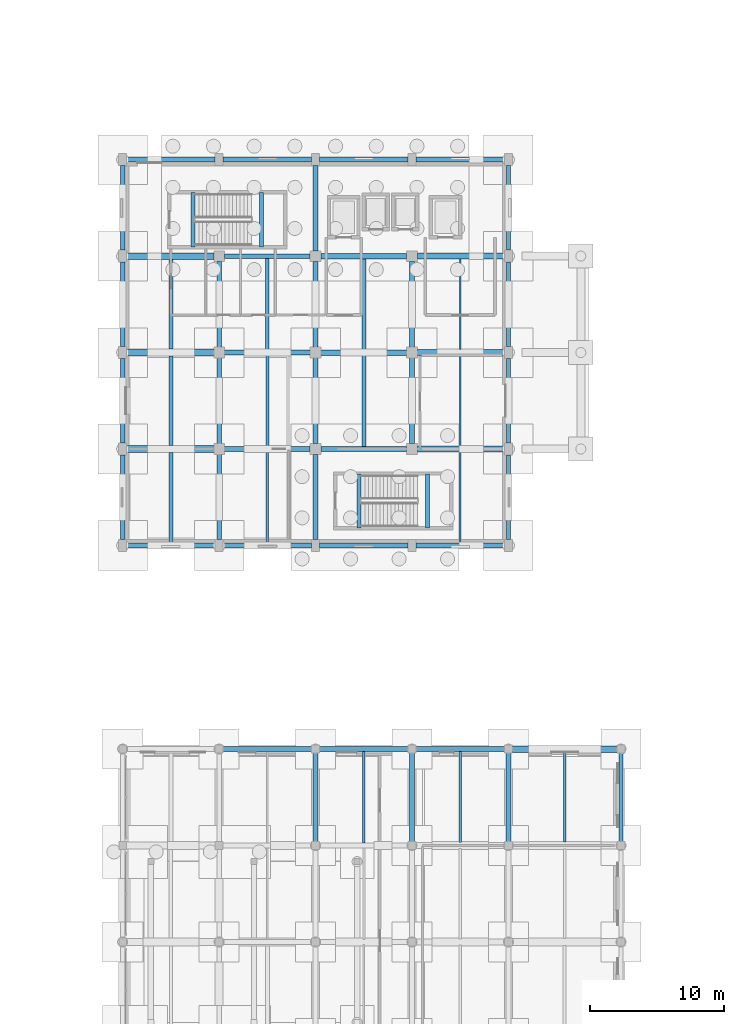
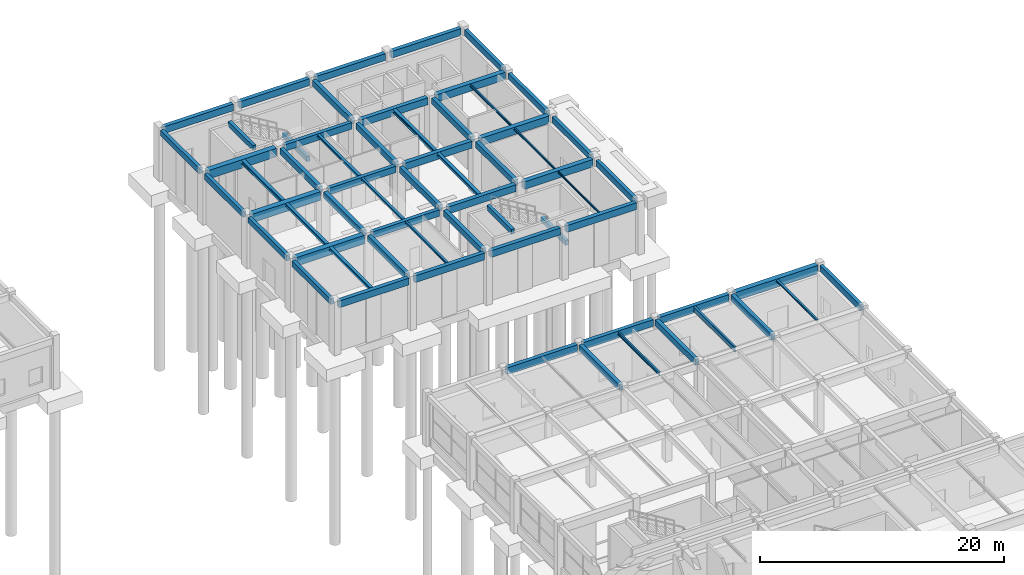
# One storey, part 55 of 91: 63 beams.
"""IFC4 building model written with IfcOpenShell, lengths in metres."""

from ifc_helpers import new_model, si_unit, direction, frame, origin, origin_2d, place, context, subcontext, project, spatial, rectangle, i_section, extrude, material, material_profile, profile_set, type_object, element, save


model = new_model("IFC4")

# Units and contexts
model_context = context("Model", 3, precision=1e-05, world=origin(), true_north=direction((0.0, 1.0)))
body_context = subcontext(model_context, "Body", "Model", "MODEL_VIEW")
ifc_project = project(units=[si_unit("LENGTHUNIT", "METRE"), si_unit("AREAUNIT", "SQUARE_METRE"), si_unit("VOLUMEUNIT", "CUBIC_METRE"), si_unit("PLANEANGLEUNIT", "RADIAN"), si_unit("MASSUNIT", "GRAM", prefix="KILO")], contexts=[model_context])

# Site, building, storey
site_placement = place(None, origin())
site = spatial("IfcSite", under=ifc_project, at=site_placement, CompositionType="ELEMENT")
building_placement = place(site_placement, origin())
building = spatial("IfcBuilding", under=site, at=building_placement, Name="Bramveld Media Centre", CompositionType="ELEMENT")
storey_placement = place(building_placement, origin())
storey = spatial("IfcBuildingStorey", under=building, at=storey_placement, Name="L00", CompositionType="ELEMENT", Elevation=0.0)

# Beams
ifc_material_1 = material(Name="Concrete C40/50", Category="concrete")
ifc_material_profile_1 = material_profile(ifc_material_1, rectangle(XDim=0.300048828125, YDim=0.5, at=origin_2d()), Name="RC 300x500")
ifc_profile_set_1 = profile_set([ifc_material_profile_1], Name="Concrete C40/50")
beam_type_1 = type_object("IfcBeamType", Name="BM-INT-RC-300x500", PredefinedType="BEAM", material=ifc_profile_set_1)
for number, where, z_axis, x_axis, name in (
    (1, (136.449951171875, 105.5, 5.14990234375), (0.0, 1.0, 0.0), (-1.0, 0.0, 0.0), "ST-01 L01 stairwell landing trimmer beam"),
    (2, (141.550048828125, 105.5, 2.25), (0.0, 1.0, 0.0), (-1.0, 0.0, 0.0), "ST-01 L00 stairwell half-landing support beam"),
    (3, (148.85009765625, 84.5, 5.14990234375), (0.0, 1.0, 0.0), (-1.0, 0.0, 0.0), "ST-02 L01 stairwell landing trimmer beam"),
    (4, (153.949951171875, 84.5, 2.25), (0.0, 1.0, 0.0), (-1.0, 0.0, 0.0), "ST-02 L00 stairwell half-landing support beam"),
):
    element("IfcBeam", number, at=place(storey_placement, frame(where, z_axis=z_axis, x_axis=x_axis)), inside=storey, type_object=beam_type_1, Name=name, PredefinedType="BEAM", context=body_context, shape_type="SweptSolid", body=[
        extrude(rectangle(XDim=0.300048828125, YDim=0.5, at=origin_2d()), origin(), (0.0, 0.0, 1.0), 4.050048828125),
    ])
ifc_material_2 = material(Name="Concrete C40/50", Category="concrete")
ifc_material_profile_2 = material_profile(ifc_material_2, rectangle(XDim=0.35009765625, YDim=0.60009765625, at=origin_2d()), Name="RC 350x600")
ifc_profile_set_2 = profile_set([ifc_material_profile_2], Name="Concrete C40/50")
beam_type_2 = type_object("IfcBeamType", Name="BM-INT-RC-350x600", PredefinedType="BEAM", material=ifc_profile_set_2)
for number, where, z_axis, x_axis, name in (
    (5, (145.60009765625, 61.10009765625, 4.860107421875), (0.0, 1.0, 0.0), (-1.0, 0.0, 0.0), "V4 L00 girder Y-486"),
    (6, (152.800048828125, 61.10009765625, 4.860107421875), (0.0, 1.0, 0.0), (-1.0, 0.0, 0.0), "V4 L00 girder Y-490"),
    (7, (160.0, 61.10009765625, 4.860107421875), (0.0, 1.0, 0.0), (-1.0, 0.0, 0.0), "V4 L00 girder Y-494"),
):
    element("IfcBeam", number, at=place(storey_placement, frame(where, z_axis=z_axis, x_axis=x_axis)), inside=storey, type_object=beam_type_2, Name=name, PredefinedType="BEAM", context=body_context, shape_type="SweptSolid", body=[
        extrude(rectangle(XDim=0.35009765625, YDim=0.60009765625, at=origin_2d()), origin(), (0.0, 0.0, 1.0), 6.60986328125),
    ])
beam_1_placement = place(storey_placement, frame((138.39990234375, 83.64990234375, 4.840087890625), z_axis=(0.0, 1.0, 0.0), x_axis=(-1.0, 0.0, 0.0)))
element("IfcBeam", 8, at=beam_1_placement, inside=storey, type_object=beam_type_2, Name="V7 L00 girder Y-1266", PredefinedType="BEAM", context=body_context, shape_type="SweptSolid", body=[
    extrude(rectangle(XDim=0.35009765625, YDim=0.60009765625, at=origin_2d()), origin(), (0.0, 0.0, 1.0), 6.35009765625),
])
for number, where, z_axis, x_axis, name in (
    (9, (138.39990234375, 90.800048828125, 4.840087890625), (0.0, 1.0, 0.0), (-1.0, 0.0, 0.0), "V7 L00 girder Y-1267"),
    (10, (138.39990234375, 98.0, 4.840087890625), (0.0, 1.0, 0.0), (-1.0, 0.0, 0.0), "V7 L00 girder Y-1268"),
):
    element("IfcBeam", number, at=place(storey_placement, frame(where, z_axis=z_axis, x_axis=x_axis)), inside=storey, type_object=beam_type_2, Name=name, PredefinedType="BEAM", context=body_context, shape_type="SweptSolid", body=[
        extrude(rectangle(XDim=0.35009765625, YDim=0.60009765625, at=origin_2d()), origin(), (0.0, 0.0, 1.0), 6.39990234375),
    ])
beam_2_placement = place(storey_placement, frame((145.60009765625, 83.64990234375, 4.840087890625), z_axis=(0.0, 1.0, 0.0), x_axis=(-1.0, 0.0, 0.0)))
element("IfcBeam", 11, at=beam_2_placement, inside=storey, type_object=beam_type_2, Name="V7 L00 girder Y-1269", PredefinedType="BEAM", context=body_context, shape_type="SweptSolid", body=[
    extrude(rectangle(XDim=0.35009765625, YDim=0.60009765625, at=origin_2d()), origin(), (0.0, 0.0, 1.0), 6.35009765625),
])
for number, where, z_axis, x_axis, name in (
    (12, (145.60009765625, 90.800048828125, 4.840087890625), (0.0, 1.0, 0.0), (-1.0, 0.0, 0.0), "V7 L00 girder Y-1270"),
    (13, (145.60009765625, 98.0, 4.840087890625), (0.0, 1.0, 0.0), (-1.0, 0.0, 0.0), "V7 L00 girder Y-1271"),
):
    element("IfcBeam", number, at=place(storey_placement, frame(where, z_axis=z_axis, x_axis=x_axis)), inside=storey, type_object=beam_type_2, Name=name, PredefinedType="BEAM", context=body_context, shape_type="SweptSolid", body=[
        extrude(rectangle(XDim=0.35009765625, YDim=0.60009765625, at=origin_2d()), origin(), (0.0, 0.0, 1.0), 6.39990234375),
    ])
beam_3_placement = place(storey_placement, frame((145.60009765625, 105.199951171875, 4.840087890625), z_axis=(0.0, 1.0, 0.0), x_axis=(-1.0, 0.0, 0.0)))
element("IfcBeam", 14, at=beam_3_placement, inside=storey, type_object=beam_type_2, Name="V7 L00 girder Y-1272", PredefinedType="BEAM", context=body_context, shape_type="SweptSolid", body=[
    extrude(rectangle(XDim=0.35009765625, YDim=0.60009765625, at=origin_2d()), origin(), (0.0, 0.0, 1.0), 6.35009765625),
])
for number, where, z_axis, x_axis, name in (
    (15, (152.800048828125, 90.800048828125, 4.840087890625), (0.0, 1.0, 0.0), (-1.0, 0.0, 0.0), "V7 L00 girder Y-1273"),
    (16, (152.800048828125, 98.0, 4.840087890625), (0.0, 1.0, 0.0), (-1.0, 0.0, 0.0), "V7 L00 girder Y-1274"),
):
    element("IfcBeam", number, at=place(storey_placement, frame(where, z_axis=z_axis, x_axis=x_axis)), inside=storey, type_object=beam_type_2, Name=name, PredefinedType="BEAM", context=body_context, shape_type="SweptSolid", body=[
        extrude(rectangle(XDim=0.35009765625, YDim=0.60009765625, at=origin_2d()), origin(), (0.0, 0.0, 1.0), 6.39990234375),
    ])
ifc_material_3 = material(Name="Concrete C40/50", Category="concrete")
ifc_material_profile_3 = material_profile(ifc_material_3, rectangle(XDim=0.35009765625, YDim=0.64990234375, at=origin_2d()), Name="RC 350x650")
ifc_profile_set_3 = profile_set([ifc_material_profile_3], Name="Concrete C40/50")
beam_type_3 = type_object("IfcBeamType", Name="BM-INT-RC-350x650", PredefinedType="BEAM", material=ifc_profile_set_3)
for number, where, z_axis, x_axis, name in (
    (17, (138.800048828125, 90.39990234375, 4.81494140625), (1.0, 0.0, 0.0), (0.0, 1.0, 0.0), "V7 L00 girder X-1247"),
    (18, (138.800048828125, 97.60009765625, 4.81494140625), (1.0, 0.0, 0.0), (0.0, 1.0, 0.0), "V7 L00 girder X-1251"),
    (19, (138.800048828125, 104.800048828125, 4.81494140625), (1.0, 0.0, 0.0), (0.0, 1.0, 0.0), "V7 L00 girder X-1255"),
):
    element("IfcBeam", number, at=place(storey_placement, frame(where, z_axis=z_axis, x_axis=x_axis)), inside=storey, type_object=beam_type_3, Name=name, PredefinedType="BEAM", context=body_context, shape_type="SweptSolid", body=[
        extrude(rectangle(XDim=0.35009765625, YDim=0.64990234375, at=origin_2d()), origin(), (0.0, 0.0, 1.0), 6.39990234375),
    ])
ifc_material_4 = material(Name="Concrete C40/50", Category="concrete")
ifc_material_profile_4 = material_profile(ifc_material_4, rectangle(XDim=0.39990234375, YDim=0.699951171875, at=origin_2d()), Name="RC 400x700")
ifc_profile_set_4 = profile_set([ifc_material_profile_4], Name="Concrete C40/50")
beam_type_4 = type_object("IfcBeamType", Name="BM-INT-RC-400x700", PredefinedType="BEAM", material=ifc_profile_set_4)
for number, where, z_axis, x_axis, name in (
    (20, (146.0, 90.39990234375, 4.7900390625), (1.0, 0.0, 0.0), (0.0, 1.0, 0.0), "V7 L00 girder X-1248"),
    (21, (146.0, 97.60009765625, 4.7900390625), (1.0, 0.0, 0.0), (0.0, 1.0, 0.0), "V7 L00 girder X-1252"),
    (22, (146.0, 104.800048828125, 4.7900390625), (1.0, 0.0, 0.0), (0.0, 1.0, 0.0), "V7 L00 girder X-1256"),
):
    element("IfcBeam", number, at=place(storey_placement, frame(where, z_axis=z_axis, x_axis=x_axis)), inside=storey, type_object=beam_type_4, Name=name, PredefinedType="BEAM", context=body_context, shape_type="SweptSolid", body=[
        extrude(rectangle(XDim=0.39990234375, YDim=0.699951171875, at=origin_2d()), origin(), (0.0, 0.0, 1.0), 6.39990234375),
    ])
ifc_material_5 = material(Name="Concrete C40/50", Category="concrete")
ifc_material_profile_5 = material_profile(ifc_material_5, rectangle(XDim=0.449951171875, YDim=0.75, at=origin_2d()), Name="RC 450x750")
ifc_profile_set_5 = profile_set([ifc_material_profile_5], Name="Concrete C40/50")
beam_type_5 = type_object("IfcBeamType", Name="BM-INT-RC-450x750", PredefinedType="BEAM", material=ifc_profile_set_5)
for number, where, z_axis, x_axis, name in (
    (23, (153.199951171875, 90.39990234375, 4.764892578125), (1.0, 0.0, 0.0), (0.0, 1.0, 0.0), "V7 L00 girder X-1249"),
    (24, (153.199951171875, 97.60009765625, 4.764892578125), (1.0, 0.0, 0.0), (0.0, 1.0, 0.0), "V7 L00 girder X-1253"),
    (25, (153.199951171875, 104.800048828125, 4.764892578125), (1.0, 0.0, 0.0), (0.0, 1.0, 0.0), "V7 L00 girder X-1257"),
):
    element("IfcBeam", number, at=place(storey_placement, frame(where, z_axis=z_axis, x_axis=x_axis)), inside=storey, type_object=beam_type_5, Name=name, PredefinedType="BEAM", context=body_context, shape_type="SweptSolid", body=[
        extrude(rectangle(XDim=0.449951171875, YDim=0.75, at=origin_2d()), origin(), (0.0, 0.0, 1.0), 6.5),
    ])
ifc_material_6 = material(Name="Concrete C40/50", Category="concrete")
ifc_material_profile_6 = material_profile(ifc_material_6, rectangle(XDim=0.5, YDim=0.85009765625, at=origin_2d()), Name="RC 500x850")
ifc_profile_set_6 = profile_set([ifc_material_profile_6], Name="Concrete C40/50")
beam_type_6 = type_object("IfcBeamType", Name="BM-INT-RC-500x850", PredefinedType="BEAM", material=ifc_profile_set_6)
for number, where, z_axis, x_axis, name in (
    (26, (131.5, 90.39990234375, 4.715087890625), (1.0, 0.0, 0.0), (0.0, 1.0, 0.0), "V7 L00 girder X-1246"),
    (27, (131.5, 97.60009765625, 4.715087890625), (1.0, 0.0, 0.0), (0.0, 1.0, 0.0), "V7 L00 girder X-1250"),
    (28, (131.5, 104.800048828125, 4.715087890625), (1.0, 0.0, 0.0), (0.0, 1.0, 0.0), "V7 L00 girder X-1254"),
):
    element("IfcBeam", number, at=place(storey_placement, frame(where, z_axis=z_axis, x_axis=x_axis)), inside=storey, type_object=beam_type_6, Name=name, PredefinedType="BEAM", context=body_context, shape_type="SweptSolid", body=[
        extrude(rectangle(XDim=0.5, YDim=0.85009765625, at=origin_2d()), origin(), (0.0, 0.0, 1.0), 6.5),
    ])
ifc_material_7 = material(Name="Steel S355J2", Category="steel")
ifc_material_profile_7 = material_profile(ifc_material_7, i_section(OverallWidth=0.199951171875, OverallDepth=0.18994140625, WebThickness=0.006591796875, FlangeThickness=0.010009765625, FilletRadius=0.01806640625, at=origin_2d()), Name="HEA 200")
ifc_profile_set_7 = profile_set([ifc_material_profile_7], Name="Steel S355J2")
beam_type_7 = type_object("IfcBeamType", Name="SBM-INT-HEA-200", PredefinedType="BEAM", material=ifc_profile_set_7)
beam_4_placement = place(storey_placement, frame((164.199951171875, 61.074951171875, 5.06494140625), z_axis=(0.0, 1.0, 0.0), x_axis=(-1.0, 0.0, 0.0)))
element("IfcBeam", 29, at=beam_4_placement, inside=storey, type_object=beam_type_7, Name="V4 L00 secondary floor joist 516", PredefinedType="BEAM", context=body_context, shape_type="SweptSolid", body=[
    extrude(i_section(OverallWidth=0.199951171875, OverallDepth=0.18994140625, WebThickness=0.006591796875, FlangeThickness=0.010009765625, FilletRadius=0.01806640625, at=origin_2d()), origin(), (0.0, 0.0, 1.0), 6.68505859375),
])
ifc_material_8 = material(Name="Steel S355J2", Category="steel")
ifc_material_profile_8 = material_profile(ifc_material_8, i_section(OverallWidth=0.300048828125, OverallDepth=0.2900390625, WebThickness=0.008544921875, FlangeThickness=0.013916015625, FilletRadius=0.027099609375, at=origin_2d()), Name="HEA 300")
ifc_profile_set_8 = profile_set([ifc_material_profile_8], Name="Steel S355J2")
beam_type_8 = type_object("IfcBeamType", Name="SBM-INT-HEA-300", PredefinedType="BEAM", material=ifc_profile_set_8)
beam_5_placement = place(storey_placement, frame((134.800048828125, 83.389892578125, 4.9951171875), z_axis=(0.0, 1.0, 0.0), x_axis=(-1.0, 0.0, 0.0)))
element("IfcBeam", 30, at=beam_5_placement, inside=storey, type_object=beam_type_8, Name="V7 L00 secondary floor joist 1279", PredefinedType="BEAM", context=body_context, shape_type="SweptSolid", body=[
    extrude(i_section(OverallWidth=0.300048828125, OverallDepth=0.2900390625, WebThickness=0.008544921875, FlangeThickness=0.013916015625, FilletRadius=0.027099609375, at=origin_2d()), origin(), (0.0, 0.0, 1.0), 6.760009765625),
])
ifc_material_9 = material(Name="Steel S355J2", Category="steel")
ifc_material_profile_9 = material_profile(ifc_material_9, i_section(OverallWidth=0.300048828125, OverallDepth=0.31005859375, WebThickness=0.009033203125, FlangeThickness=0.015380859375, FilletRadius=0.027099609375, at=origin_2d()), Name="HEA 320")
ifc_profile_set_9 = profile_set([ifc_material_profile_9], Name="Steel S355J2")
beam_type_9 = type_object("IfcBeamType", Name="SBM-INT-HEA-320", PredefinedType="BEAM", material=ifc_profile_set_9)
beam_6_placement = place(storey_placement, frame((134.800048828125, 90.64990234375, 4.985107421875), z_axis=(0.0, 1.0, 0.0), x_axis=(-1.0, 0.0, 0.0)))
element("IfcBeam", 31, at=beam_6_placement, inside=storey, type_object=beam_type_9, Name="V7 L00 secondary floor joist 1280", PredefinedType="BEAM", context=body_context, shape_type="SweptSolid", body=[
    extrude(i_section(OverallWidth=0.300048828125, OverallDepth=0.31005859375, WebThickness=0.009033203125, FlangeThickness=0.015380859375, FilletRadius=0.027099609375, at=origin_2d()), origin(), (0.0, 0.0, 1.0), 6.7001953125),
])
ifc_material_10 = material(Name="Steel S355J2", Category="steel")
ifc_material_profile_10 = material_profile(ifc_material_10, i_section(OverallWidth=0.300048828125, OverallDepth=0.389892578125, WebThickness=0.010986328125, FlangeThickness=0.01904296875, FilletRadius=0.027099609375, at=origin_2d()), Name="HEA 400")
ifc_profile_set_10 = profile_set([ifc_material_profile_10], Name="Steel S355J2")
beam_type_10 = type_object("IfcBeamType", Name="SBM-INT-HEA-400", PredefinedType="BEAM", material=ifc_profile_set_10)
beam_7_placement = place(storey_placement, frame((134.800048828125, 97.85009765625, 4.945068359375), z_axis=(0.0, 1.0, 0.0), x_axis=(-1.0, 0.0, 0.0)))
element("IfcBeam", 32, at=beam_7_placement, inside=storey, type_object=beam_type_10, Name="V7 L00 secondary floor joist 1281", PredefinedType="BEAM", context=body_context, shape_type="SweptSolid", body=[
    extrude(i_section(OverallWidth=0.300048828125, OverallDepth=0.389892578125, WebThickness=0.010986328125, FlangeThickness=0.01904296875, FilletRadius=0.027099609375, at=origin_2d()), origin(), (0.0, 0.0, 1.0), 6.699951171875),
])
ifc_material_11 = material(Name="Steel S355J2", Category="steel")
ifc_material_profile_11 = material_profile(ifc_material_11, i_section(OverallWidth=0.199951171875, OverallDepth=0.199951171875, WebThickness=0.009033203125, FlangeThickness=0.014892578125, FilletRadius=0.01806640625, at=origin_2d()), Name="HEB 200")
ifc_profile_set_11 = profile_set([ifc_material_profile_11], Name="Steel S355J2")
beam_type_11 = type_object("IfcBeamType", Name="SBM-INT-HEB-200", PredefinedType="BEAM", material=ifc_profile_set_11)
beam_8_placement = place(storey_placement, frame((142.0, 83.389892578125, 5.0400390625), z_axis=(0.0, 1.0, 0.0), x_axis=(-1.0, 0.0, 0.0)))
element("IfcBeam", 33, at=beam_8_placement, inside=storey, type_object=beam_type_11, Name="V7 L00 secondary floor joist 1282", PredefinedType="BEAM", context=body_context, shape_type="SweptSolid", body=[
    extrude(i_section(OverallWidth=0.199951171875, OverallDepth=0.199951171875, WebThickness=0.009033203125, FlangeThickness=0.014892578125, FilletRadius=0.01806640625, at=origin_2d()), origin(), (0.0, 0.0, 1.0), 6.835205078125),
])
ifc_material_12 = material(Name="Steel S355J2", Category="steel")
ifc_material_profile_12 = material_profile(ifc_material_12, i_section(OverallWidth=0.219970703125, OverallDepth=0.219970703125, WebThickness=0.009521484375, FlangeThickness=0.01611328125, FilletRadius=0.01806640625, at=origin_2d()), Name="HEB 220")
ifc_profile_set_12 = profile_set([ifc_material_profile_12], Name="Steel S355J2")
beam_type_12 = type_object("IfcBeamType", Name="SBM-INT-HEB-220", PredefinedType="BEAM", material=ifc_profile_set_12)
beam_9_placement = place(storey_placement, frame((142.0, 90.574951171875, 5.030029296875), z_axis=(0.0, 1.0, 0.0), x_axis=(-1.0, 0.0, 0.0)))
element("IfcBeam", 34, at=beam_9_placement, inside=storey, type_object=beam_type_12, Name="V7 L00 secondary floor joist 1283", PredefinedType="BEAM", context=body_context, shape_type="SweptSolid", body=[
    extrude(i_section(OverallWidth=0.219970703125, OverallDepth=0.219970703125, WebThickness=0.009521484375, FlangeThickness=0.01611328125, FilletRadius=0.01806640625, at=origin_2d()), origin(), (0.0, 0.0, 1.0), 6.85009765625),
])
ifc_material_13 = material(Name="Steel S355J2", Category="steel")
ifc_material_profile_13 = material_profile(ifc_material_13, i_section(OverallWidth=0.260009765625, OverallDepth=0.260009765625, WebThickness=0.010009765625, FlangeThickness=0.017578125, FilletRadius=0.02392578125, at=origin_2d()), Name="HEB 260")
ifc_profile_set_13 = profile_set([ifc_material_profile_13], Name="Steel S355J2")
beam_type_13 = type_object("IfcBeamType", Name="SBM-INT-HEB-260", PredefinedType="BEAM", material=ifc_profile_set_13)
beam_10_placement = place(storey_placement, frame((142.0, 97.77490234375, 5.010009765625), z_axis=(0.0, 1.0, 0.0), x_axis=(-1.0, 0.0, 0.0)))
element("IfcBeam", 35, at=beam_10_placement, inside=storey, type_object=beam_type_13, Name="V7 L00 secondary floor joist 1284", PredefinedType="BEAM", context=body_context, shape_type="SweptSolid", body=[
    extrude(i_section(OverallWidth=0.260009765625, OverallDepth=0.260009765625, WebThickness=0.010009765625, FlangeThickness=0.017578125, FilletRadius=0.02392578125, at=origin_2d()), origin(), (0.0, 0.0, 1.0), 6.85009765625),
])
ifc_material_14 = material(Name="Steel S355J2", Category="steel")
ifc_material_profile_14 = material_profile(ifc_material_14, i_section(OverallWidth=0.300048828125, OverallDepth=0.320068359375, WebThickness=0.011474609375, FlangeThickness=0.0205078125, FilletRadius=0.027099609375, at=origin_2d()), Name="HEB 320")
ifc_profile_set_14 = profile_set([ifc_material_profile_14], Name="Steel S355J2")
beam_type_14 = type_object("IfcBeamType", Name="SBM-INT-HEB-320", PredefinedType="BEAM", material=ifc_profile_set_14)
beam_11_placement = place(storey_placement, frame((149.199951171875, 90.60009765625, 4.97998046875), z_axis=(0.0, 1.0, 0.0), x_axis=(-1.0, 0.0, 0.0)))
element("IfcBeam", 36, at=beam_11_placement, inside=storey, type_object=beam_type_14, Name="V7 L00 secondary floor joist 1285", PredefinedType="BEAM", context=body_context, shape_type="SweptSolid", body=[
    extrude(i_section(OverallWidth=0.300048828125, OverallDepth=0.320068359375, WebThickness=0.011474609375, FlangeThickness=0.0205078125, FilletRadius=0.027099609375, at=origin_2d()), origin(), (0.0, 0.0, 1.0), 6.7998046875),
])
ifc_material_15 = material(Name="Steel S355J2", Category="steel")
ifc_material_profile_15 = material_profile(ifc_material_15, i_section(OverallWidth=0.300048828125, OverallDepth=0.360107421875, WebThickness=0.012451171875, FlangeThickness=0.0224609375, FilletRadius=0.027099609375, at=origin_2d()), Name="HEB 360")
ifc_profile_set_15 = profile_set([ifc_material_profile_15], Name="Steel S355J2")
beam_type_15 = type_object("IfcBeamType", Name="SBM-INT-HEB-360", PredefinedType="BEAM", material=ifc_profile_set_15)
beam_12_placement = place(storey_placement, frame((149.199951171875, 97.800048828125, 4.9599609375), z_axis=(0.0, 1.0, 0.0), x_axis=(-1.0, 0.0, 0.0)))
element("IfcBeam", 37, at=beam_12_placement, inside=storey, type_object=beam_type_15, Name="V7 L00 secondary floor joist 1286", PredefinedType="BEAM", context=body_context, shape_type="SweptSolid", body=[
    extrude(i_section(OverallWidth=0.300048828125, OverallDepth=0.360107421875, WebThickness=0.012451171875, FlangeThickness=0.0224609375, FilletRadius=0.027099609375, at=origin_2d()), origin(), (0.0, 0.0, 1.0), 6.800048828125),
])
ifc_material_16 = material(Name="Steel S355J2", Category="steel")
ifc_material_profile_16 = material_profile(ifc_material_16, i_section(OverallWidth=0.091064453125, OverallDepth=0.179931640625, WebThickness=0.00537109375, FlangeThickness=0.008056640625, FilletRadius=0.009033203125, at=origin_2d()), Name="IPE 180")
ifc_profile_set_16 = profile_set([ifc_material_profile_16], Name="Steel S355J2")
beam_type_16 = type_object("IfcBeamType", Name="SBM-INT-IPE-180", PredefinedType="JOIST", material=ifc_profile_set_16)
beam_13_placement = place(storey_placement, frame((156.39990234375, 83.389892578125, 5.050048828125), z_axis=(0.0, 1.0, 0.0), x_axis=(-1.0, 0.0, 0.0)))
element("IfcBeam", 38, at=beam_13_placement, inside=storey, type_object=beam_type_16, Name="V7 L00 secondary floor joist 1287", PredefinedType="JOIST", context=body_context, shape_type="SweptSolid", body=[
    extrude(i_section(OverallWidth=0.091064453125, OverallDepth=0.179931640625, WebThickness=0.00537109375, FlangeThickness=0.008056640625, FilletRadius=0.009033203125, at=origin_2d()), origin(), (0.0, 0.0, 1.0), 6.78515625),
])
ifc_material_17 = material(Name="Steel S355J2", Category="steel")
ifc_material_profile_17 = material_profile(ifc_material_17, i_section(OverallWidth=0.110107421875, OverallDepth=0.219970703125, WebThickness=0.005859375, FlangeThickness=0.00927734375, FilletRadius=0.011962890625, at=origin_2d()), Name="IPE 220")
ifc_profile_set_17 = profile_set([ifc_material_profile_17], Name="Steel S355J2")
beam_type_17 = type_object("IfcBeamType", Name="SBM-INT-IPE-220", PredefinedType="JOIST", material=ifc_profile_set_17)
beam_14_placement = place(storey_placement, frame((156.39990234375, 90.625, 5.030029296875), z_axis=(0.0, 1.0, 0.0), x_axis=(-1.0, 0.0, 0.0)))
element("IfcBeam", 39, at=beam_14_placement, inside=storey, type_object=beam_type_17, Name="V7 L00 secondary floor joist 1288", PredefinedType="JOIST", context=body_context, shape_type="SweptSolid", body=[
    extrude(i_section(OverallWidth=0.110107421875, OverallDepth=0.219970703125, WebThickness=0.005859375, FlangeThickness=0.00927734375, FilletRadius=0.011962890625, at=origin_2d()), origin(), (0.0, 0.0, 1.0), 6.75),
])
ifc_material_18 = material(Name="Steel S355J2", Category="steel")
ifc_material_profile_18 = material_profile(ifc_material_18, i_section(OverallWidth=0.1201171875, OverallDepth=0.239990234375, WebThickness=0.006103515625, FlangeThickness=0.009765625, FilletRadius=0.014892578125, at=origin_2d()), Name="IPE 240")
ifc_profile_set_18 = profile_set([ifc_material_profile_18], Name="Steel S355J2")
beam_type_18 = type_object("IfcBeamType", Name="SBM-INT-IPE-240", PredefinedType="JOIST", material=ifc_profile_set_18)
beam_15_placement = place(storey_placement, frame((156.39990234375, 97.824951171875, 5.02001953125), z_axis=(0.0, 1.0, 0.0), x_axis=(-1.0, 0.0, 0.0)))
element("IfcBeam", 40, at=beam_15_placement, inside=storey, type_object=beam_type_18, Name="V7 L00 secondary floor joist 1289", PredefinedType="JOIST", context=body_context, shape_type="SweptSolid", body=[
    extrude(i_section(OverallWidth=0.1201171875, OverallDepth=0.239990234375, WebThickness=0.006103515625, FlangeThickness=0.009765625, FilletRadius=0.014892578125, at=origin_2d()), origin(), (0.0, 0.0, 1.0), 6.75),
])
ifc_material_19 = material(Name="Steel S355J2", Category="steel")
ifc_material_profile_19 = material_profile(ifc_material_19, i_section(OverallWidth=0.159912109375, OverallDepth=0.330078125, WebThickness=0.007568359375, FlangeThickness=0.011474609375, FilletRadius=0.01806640625, at=origin_2d()), Name="IPE 330")
ifc_profile_set_19 = profile_set([ifc_material_profile_19], Name="Steel S355J2")
beam_type_19 = type_object("IfcBeamType", Name="SBM-INT-IPE-330", PredefinedType="JOIST", material=ifc_profile_set_19)
beam_16_placement = place(storey_placement, frame((149.199951171875, 61.0, 4.9951171875), z_axis=(0.0, 1.0, 0.0), x_axis=(-1.0, 0.0, 0.0)))
element("IfcBeam", 41, at=beam_16_placement, inside=storey, type_object=beam_type_19, Name="V4 L00 secondary floor joist 508", PredefinedType="JOIST", context=body_context, shape_type="SweptSolid", body=[
    extrude(i_section(OverallWidth=0.159912109375, OverallDepth=0.330078125, WebThickness=0.007568359375, FlangeThickness=0.011474609375, FilletRadius=0.01806640625, at=origin_2d()), origin(), (0.0, 0.0, 1.0), 6.81005859375),
])
ifc_material_20 = material(Name="Steel S355J2", Category="steel")
ifc_material_profile_20 = material_profile(ifc_material_20, i_section(OverallWidth=0.199951171875, OverallDepth=0.5, WebThickness=0.01025390625, FlangeThickness=0.01611328125, FilletRadius=0.02099609375, at=origin_2d()), Name="IPE 500")
ifc_profile_set_20 = profile_set([ifc_material_profile_20], Name="Steel S355J2")
beam_type_20 = type_object("IfcBeamType", Name="SBM-INT-IPE-500", PredefinedType="BEAM", material=ifc_profile_set_20)
beam_17_placement = place(storey_placement, frame((156.39990234375, 61.02490234375, 4.909912109375), z_axis=(0.0, 1.0, 0.0), x_axis=(-1.0, 0.0, 0.0)))
element("IfcBeam", 42, at=beam_17_placement, inside=storey, type_object=beam_type_20, Name="V4 L00 secondary floor joist 512", PredefinedType="BEAM", context=body_context, shape_type="SweptSolid", body=[
    extrude(i_section(OverallWidth=0.199951171875, OverallDepth=0.5, WebThickness=0.01025390625, FlangeThickness=0.01611328125, FilletRadius=0.02099609375, at=origin_2d()), origin(), (0.0, 0.0, 1.0), 6.78515625),
])
ifc_material_21 = material(Name="Concrete C40/50", Category="concrete")
ifc_material_profile_21 = material_profile(ifc_material_21, rectangle(XDim=0.320068359375, YDim=0.580078125, at=origin_2d()), Name="RC 320x580")
ifc_profile_set_21 = profile_set([ifc_material_profile_21], Name="Concrete C40/50")
beam_type_21 = type_object("IfcBeamType", Name="SPANDREL-EXT-RC-320x580", PredefinedType="SPANDREL", material=ifc_profile_set_21)
beam_18_placement = place(storey_placement, frame((168.39990234375, 61.090087890625, 4.8701171875), z_axis=(0.0, 1.0, 0.0), x_axis=(-1.0, 0.0, 0.0)))
element("IfcBeam", 43, at=beam_18_placement, inside=storey, type_object=beam_type_21, Name="V4 L00 girder Y-498", PredefinedType="SPANDREL", context=body_context, shape_type="SweptSolid", body=[
    extrude(rectangle(XDim=0.320068359375, YDim=0.580078125, at=origin_2d()), origin(), (0.0, 0.0, 1.0), 6.619873046875),
])
beam_19_placement = place(storey_placement, frame((131.199951171875, 83.64990234375, 4.85009765625), z_axis=(0.0, 1.0, 0.0), x_axis=(-1.0, 0.0, 0.0)))
element("IfcBeam", 44, at=beam_19_placement, inside=storey, type_object=beam_type_21, Name="V7 L00 girder Y-1262", PredefinedType="SPANDREL", context=body_context, shape_type="SweptSolid", body=[
    extrude(rectangle(XDim=0.320068359375, YDim=0.580078125, at=origin_2d()), origin(), (0.0, 0.0, 1.0), 6.300048828125),
])
beam_20_placement = place(storey_placement, frame((131.199951171875, 90.85009765625, 4.85009765625), z_axis=(0.0, 1.0, 0.0), x_axis=(-1.0, 0.0, 0.0)))
element("IfcBeam", 45, at=beam_20_placement, inside=storey, type_object=beam_type_21, Name="V7 L00 girder Y-1263", PredefinedType="SPANDREL", context=body_context, shape_type="SweptSolid", body=[
    extrude(rectangle(XDim=0.320068359375, YDim=0.580078125, at=origin_2d()), origin(), (0.0, 0.0, 1.0), 6.2998046875),
])
for number, where, z_axis, x_axis, name in (
    (46, (131.199951171875, 98.050048828125, 4.85009765625), (0.0, 1.0, 0.0), (-1.0, 0.0, 0.0), "V7 L00 girder Y-1264"),
    (47, (131.199951171875, 105.25, 4.85009765625), (0.0, 1.0, 0.0), (-1.0, 0.0, 0.0), "V7 L00 girder Y-1265"),
    (48, (160.0, 83.64990234375, 4.85009765625), (0.0, 1.0, 0.0), (-1.0, 0.0, 0.0), "V7 L00 girder Y-1275"),
):
    element("IfcBeam", number, at=place(storey_placement, frame(where, z_axis=z_axis, x_axis=x_axis)), inside=storey, type_object=beam_type_21, Name=name, PredefinedType="SPANDREL", context=body_context, shape_type="SweptSolid", body=[
        extrude(rectangle(XDim=0.320068359375, YDim=0.580078125, at=origin_2d()), origin(), (0.0, 0.0, 1.0), 6.300048828125),
    ])
beam_21_placement = place(storey_placement, frame((160.0, 90.85009765625, 4.85009765625), z_axis=(0.0, 1.0, 0.0), x_axis=(-1.0, 0.0, 0.0)))
element("IfcBeam", 49, at=beam_21_placement, inside=storey, type_object=beam_type_21, Name="V7 L00 girder Y-1276", PredefinedType="SPANDREL", context=body_context, shape_type="SweptSolid", body=[
    extrude(rectangle(XDim=0.320068359375, YDim=0.580078125, at=origin_2d()), origin(), (0.0, 0.0, 1.0), 6.2998046875),
])
for number, where, z_axis, x_axis, name in (
    (50, (160.0, 98.050048828125, 4.85009765625), (0.0, 1.0, 0.0), (-1.0, 0.0, 0.0), "V7 L00 girder Y-1277"),
    (51, (160.0, 105.25, 4.85009765625), (0.0, 1.0, 0.0), (-1.0, 0.0, 0.0), "V7 L00 girder Y-1278"),
):
    element("IfcBeam", number, at=place(storey_placement, frame(where, z_axis=z_axis, x_axis=x_axis)), inside=storey, type_object=beam_type_21, Name=name, PredefinedType="SPANDREL", context=body_context, shape_type="SweptSolid", body=[
        extrude(rectangle(XDim=0.320068359375, YDim=0.580078125, at=origin_2d()), origin(), (0.0, 0.0, 1.0), 6.300048828125),
    ])
ifc_material_22 = material(Name="Concrete C40/50", Category="concrete")
ifc_material_profile_22 = material_profile(ifc_material_22, rectangle(XDim=0.3798828125, YDim=0.679931640625, at=origin_2d()), Name="RC 380x680")
ifc_profile_set_22 = profile_set([ifc_material_profile_22], Name="Concrete C40/50")
beam_type_22 = type_object("IfcBeamType", Name="SPANDREL-EXT-RC-380x680", PredefinedType="SPANDREL", material=ifc_profile_set_22)
for number, where, z_axis, x_axis, name in (
    (52, (138.68994140625, 68.0, 4.820068359375), (1.0, 0.0, 0.0), (0.0, 1.0, 0.0), "V4 L00 girder X-473"),
    (53, (145.889892578125, 68.0, 4.820068359375), (1.0, 0.0, 0.0), (0.0, 1.0, 0.0), "V4 L00 girder X-474"),
):
    element("IfcBeam", number, at=place(storey_placement, frame(where, z_axis=z_axis, x_axis=x_axis)), inside=storey, type_object=beam_type_22, Name=name, PredefinedType="SPANDREL", context=body_context, shape_type="SweptSolid", body=[
        extrude(rectangle(XDim=0.3798828125, YDim=0.679931640625, at=origin_2d()), origin(), (0.0, 0.0, 1.0), 6.6201171875),
    ])
beam_22_placement = place(storey_placement, frame((153.090087890625, 68.0, 4.820068359375), z_axis=(1.0, 0.0, 0.0), x_axis=(0.0, 1.0, 0.0)))
element("IfcBeam", 54, at=beam_22_placement, inside=storey, type_object=beam_type_22, Name="V4 L00 girder X-475", PredefinedType="SPANDREL", context=body_context, shape_type="SweptSolid", body=[
    extrude(rectangle(XDim=0.3798828125, YDim=0.679931640625, at=origin_2d()), origin(), (0.0, 0.0, 1.0), 6.619873046875),
])
for number, where, z_axis, x_axis, name in (
    (55, (131.5, 83.199951171875, 4.800048828125), (1.0, 0.0, 0.0), (0.0, 1.0, 0.0), "V7 L00 girder X-1242"),
    (56, (138.699951171875, 83.199951171875, 4.800048828125), (1.0, 0.0, 0.0), (0.0, 1.0, 0.0), "V7 L00 girder X-1243"),
    (57, (145.89990234375, 83.199951171875, 4.800048828125), (1.0, 0.0, 0.0), (0.0, 1.0, 0.0), "V7 L00 girder X-1244"),
):
    element("IfcBeam", number, at=place(storey_placement, frame(where, z_axis=z_axis, x_axis=x_axis)), inside=storey, type_object=beam_type_22, Name=name, PredefinedType="SPANDREL", context=body_context, shape_type="SweptSolid", body=[
        extrude(rectangle(XDim=0.3798828125, YDim=0.679931640625, at=origin_2d()), origin(), (0.0, 0.0, 1.0), 6.60009765625),
    ])
beam_23_placement = place(storey_placement, frame((153.10009765625, 83.199951171875, 4.800048828125), z_axis=(1.0, 0.0, 0.0), x_axis=(0.0, 1.0, 0.0)))
element("IfcBeam", 58, at=beam_23_placement, inside=storey, type_object=beam_type_22, Name="V7 L00 girder X-1245", PredefinedType="SPANDREL", context=body_context, shape_type="SweptSolid", body=[
    extrude(rectangle(XDim=0.3798828125, YDim=0.679931640625, at=origin_2d()), origin(), (0.0, 0.0, 1.0), 6.599853515625),
])
for number, where, z_axis, x_axis, name in (
    (59, (131.5, 112.0, 4.800048828125), (1.0, 0.0, 0.0), (0.0, 1.0, 0.0), "V7 L00 girder X-1258"),
    (60, (138.699951171875, 112.0, 4.800048828125), (1.0, 0.0, 0.0), (0.0, 1.0, 0.0), "V7 L00 girder X-1259"),
    (61, (145.89990234375, 112.0, 4.800048828125), (1.0, 0.0, 0.0), (0.0, 1.0, 0.0), "V7 L00 girder X-1260"),
):
    element("IfcBeam", number, at=place(storey_placement, frame(where, z_axis=z_axis, x_axis=x_axis)), inside=storey, type_object=beam_type_22, Name=name, PredefinedType="SPANDREL", context=body_context, shape_type="SweptSolid", body=[
        extrude(rectangle(XDim=0.3798828125, YDim=0.679931640625, at=origin_2d()), origin(), (0.0, 0.0, 1.0), 6.60009765625),
    ])
beam_24_placement = place(storey_placement, frame((153.10009765625, 112.0, 4.800048828125), z_axis=(1.0, 0.0, 0.0), x_axis=(0.0, 1.0, 0.0)))
element("IfcBeam", 62, at=beam_24_placement, inside=storey, type_object=beam_type_22, Name="V7 L00 girder X-1261", PredefinedType="SPANDREL", context=body_context, shape_type="SweptSolid", body=[
    extrude(rectangle(XDim=0.3798828125, YDim=0.679931640625, at=origin_2d()), origin(), (0.0, 0.0, 1.0), 6.599853515625),
])
ifc_material_23 = material(Name="Concrete C40/50", Category="concrete")
ifc_material_profile_23 = material_profile(ifc_material_23, rectangle(XDim=0.47998046875, YDim=0.820068359375, at=origin_2d()), Name="RC 480x820")
ifc_profile_set_23 = profile_set([ifc_material_profile_23], Name="Concrete C40/50")
beam_type_23 = type_object("IfcBeamType", Name="SPANDREL-EXT-RC-480x820", PredefinedType="SPANDREL", material=ifc_profile_set_23)
beam_25_placement = place(storey_placement, frame((160.2900390625, 68.0, 4.75), z_axis=(1.0, 0.0, 0.0), x_axis=(0.0, 1.0, 0.0)))
element("IfcBeam", 63, at=beam_25_placement, inside=storey, type_object=beam_type_23, Name="V4 L00 girder X-476", PredefinedType="SPANDREL", context=body_context, shape_type="SweptSolid", body=[
    extrude(rectangle(XDim=0.47998046875, YDim=0.820068359375, at=origin_2d()), origin(), (0.0, 0.0, 1.0), 7.820068359375),
])

save(model, "model.ifc")
